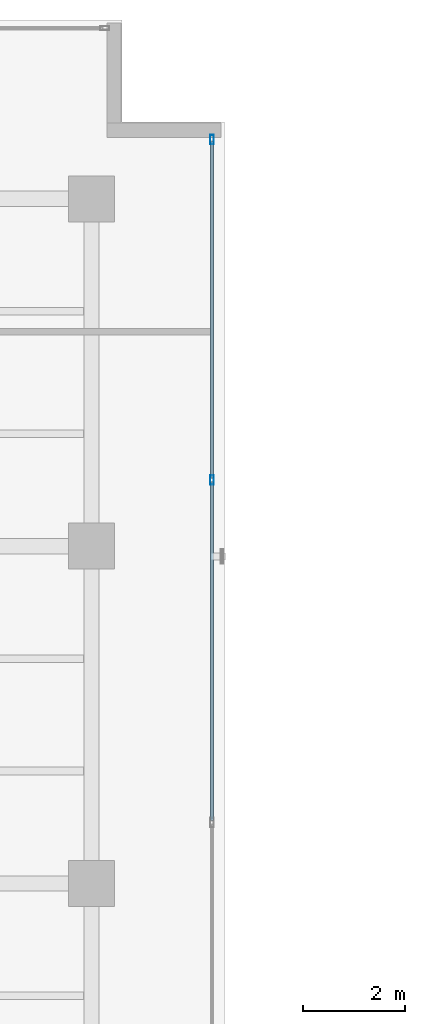
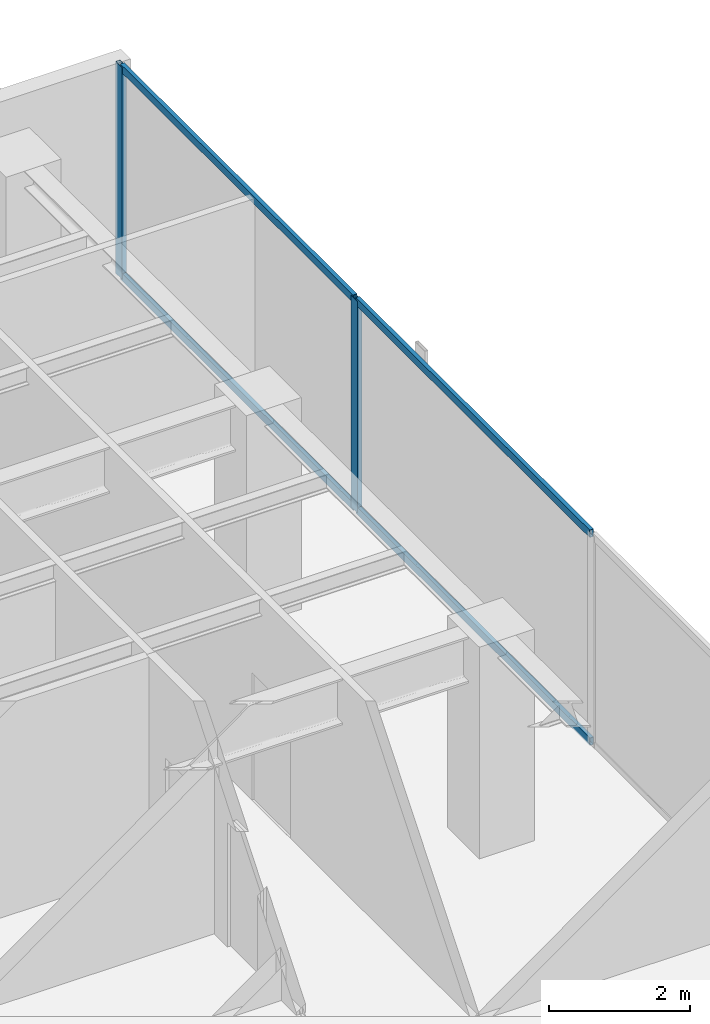
# One storey, part 22 of 31: 6 members, 1 element without a shape of its own.
"""IFC4 building model written with IfcOpenShell, lengths in metres."""

from ifc_helpers import new_model, si_unit, direction, frame, origin, origin_with_axes, origin_2d, place, context, subcontext, project, spatial, hollow_rectangle, extrude, source, transform, mapped, material, layer, layer_set, material_profile, profile_set, type_object, element, aggregate, save


model = new_model("IFC4")

# Units and contexts
model_context = context("Model", 3, precision=1e-05, world=origin(), true_north=direction((0.0, 1.0)))
body_context = subcontext(model_context, "Body", "Model", "MODEL_VIEW")
ifc_project = project(units=[si_unit("LENGTHUNIT", "METRE"), si_unit("AREAUNIT", "SQUARE_METRE"), si_unit("VOLUMEUNIT", "CUBIC_METRE"), si_unit("PLANEANGLEUNIT", "RADIAN"), si_unit("MASSUNIT", "GRAM", prefix="KILO")], contexts=[model_context])

# Site, building, storey
site_placement = place(None, origin())
site = spatial("IfcSite", under=ifc_project, at=site_placement, CompositionType="ELEMENT")
building_placement = place(site_placement, origin())
building = spatial("IfcBuilding", under=site, at=building_placement, Name="Kolvaren Waterfront Exchange", CompositionType="ELEMENT")
storey_placement = place(building_placement, frame((0.0, 0.0, 344.199951171875)))
storey = spatial("IfcBuildingStorey", under=building, at=storey_placement, Name="L88", CompositionType="ELEMENT", Elevation=344.199951171875)

# Curtain wall, members
ifc_material = material(Name="Anodised bronze aluminium 6063-T6", Category="aluminium")
ifc_layer = layer(ifc_material, 0.219970703125, Name="Anodised bronze aluminium 6063-T6")
ifc_layer_set = layer_set([ifc_layer], Name="Anodised bronze aluminium 6063-T6")
curtain_wall_type = type_object("IfcCurtainWallType", Name="ARC-CW-SYS5", PredefinedType="USERDEFINED", material=ifc_layer_set)
curtain_wall_placement = place(storey_placement, origin())
curtain_wall = element("IfcCurtainWall", 1, at=curtain_wall_placement, inside=storey, type_object=curtain_wall_type, Name="L88 stick curtain wall CW5 (CW-L88-NE)", ObjectType="STICK CURTAIN WALL", PredefinedType="USERDEFINED")
ifc_material_profile_1 = material_profile(ifc_material, hollow_rectangle(XDim=0.074951171875, YDim=0.179931640625, WallThickness=0.00439453125, at=origin_2d()), Name="ALU-MUL-180x75x4.5")
ifc_profile_set_1 = profile_set([ifc_material_profile_1], Name="Anodised bronze aluminium 6063-T6")
member_type_1 = type_object("IfcMemberType", Name="ARC-CWM-180", PredefinedType="MULLION", material=ifc_profile_set_1)
shared_shape_1 = source(origin_with_axes(), body_context, "Body", "SweptSolid", [
    extrude(hollow_rectangle(XDim=0.074951171875, YDim=0.179931640625, WallThickness=0.00439453125, at=origin_2d()), origin(), (0.0, 0.0, 1.0), 3.66015625),
])
member_1_placement = place(storey_placement, frame((21.159912109375, 39.0966796875, 0.0), z_axis=(0.0, 0.0, 1.0), x_axis=(-1.0, 0.0, 0.0)))
member_1 = element("IfcMember", 2, at=member_1_placement, type_object=member_type_1, Name="CW5 mullion 3", PredefinedType="MULLION", context=body_context, shape_type="MappedRepresentation", body=[
    mapped(shared_shape_1, transform((0.0, 0.0, 0.0), x_axis=(1.0, 0.0, 0.0), y_axis=(0.0, 1.0, 0.0), z_axis=(0.0, 0.0, 1.0), scale=1.0)),
])
member_2_placement = place(storey_placement, frame((21.159912109375, 45.762451171875, 0.0), z_axis=(0.0, 0.0, 1.0), x_axis=(-1.0, 0.0, 0.0)))
member_2 = element("IfcMember", 3, at=member_2_placement, type_object=member_type_1, Name="CW5 mullion 4", PredefinedType="MULLION", context=body_context, shape_type="MappedRepresentation", body=[
    mapped(shared_shape_1, transform((0.0, 0.0, 0.0), x_axis=(1.0, 0.0, 0.0), y_axis=(0.0, 1.0, 0.0), z_axis=(0.0, 0.0, 1.0), scale=1.0)),
])
ifc_material_profile_2 = material_profile(ifc_material, hollow_rectangle(XDim=0.06494140625, YDim=0.1298828125, WallThickness=0.00390625, at=origin_2d()), Name="ALU-TRN-130x65x4")
ifc_profile_set_2 = profile_set([ifc_material_profile_2], Name="Anodised bronze aluminium 6063-T6")
member_type_2 = type_object("IfcMemberType", Name="ARC-CWT-130", PredefinedType="USERDEFINED", material=ifc_profile_set_2)
shared_shape_2 = source(origin_with_axes(), body_context, "Body", "SweptSolid", [
    extrude(hollow_rectangle(XDim=0.06494140625, YDim=0.1298828125, WallThickness=0.00390625, at=origin_2d()), origin(), (0.0, 0.0, 1.0), 6.5908203125),
])
member_3_placement = place(storey_placement, frame((21.159912109375, 39.13427734375, 0.032470703125), z_axis=(0.0, 1.0, 0.0), x_axis=(-1.0, 0.0, 0.0)))
member_3 = element("IfcMember", 4, at=member_3_placement, type_object=member_type_2, Name="CW5 transom 3.1", ObjectType="TRANSOM", PredefinedType="USERDEFINED", context=body_context, shape_type="MappedRepresentation", body=[
    mapped(shared_shape_2, transform((0.0, 0.0, 0.0), x_axis=(1.0, 0.0, 0.0), y_axis=(0.0, 1.0, 0.0), z_axis=(0.0, 0.0, 1.0), scale=1.0)),
])
member_4_placement = place(storey_placement, frame((21.159912109375, 39.13427734375, 3.62744140625), z_axis=(0.0, 1.0, 0.0), x_axis=(-1.0, 0.0, 0.0)))
member_4 = element("IfcMember", 5, at=member_4_placement, type_object=member_type_2, Name="CW5 transom 3.2", ObjectType="TRANSOM", PredefinedType="USERDEFINED", context=body_context, shape_type="MappedRepresentation", body=[
    mapped(shared_shape_2, transform((0.0, 0.0, 0.0), x_axis=(1.0, 0.0, 0.0), y_axis=(0.0, 1.0, 0.0), z_axis=(0.0, 0.0, 1.0), scale=1.0)),
])
shared_shape_3 = source(origin_with_axes(), body_context, "Body", "SweptSolid", [
    extrude(hollow_rectangle(XDim=0.06494140625, YDim=0.1298828125, WallThickness=0.00390625, at=origin_2d()), origin(), (0.0, 0.0, 1.0), 6.628173828125),
])
member_5_placement = place(storey_placement, frame((21.159912109375, 32.430908203125, 0.032470703125), z_axis=(0.0, 1.0, 0.0), x_axis=(-1.0, 0.0, 0.0)))
member_5 = element("IfcMember", 6, at=member_5_placement, type_object=member_type_2, Name="CW5 transom 2.1", ObjectType="TRANSOM", PredefinedType="USERDEFINED", context=body_context, shape_type="MappedRepresentation", body=[
    mapped(shared_shape_3, transform((0.0, 0.0, 0.0), x_axis=(1.0, 0.0, 0.0), y_axis=(0.0, 1.0, 0.0), z_axis=(0.0, 0.0, 1.0), scale=1.0)),
])
member_6_placement = place(storey_placement, frame((21.159912109375, 32.430908203125, 3.62744140625), z_axis=(0.0, 1.0, 0.0), x_axis=(-1.0, 0.0, 0.0)))
member_6 = element("IfcMember", 7, at=member_6_placement, type_object=member_type_2, Name="CW5 transom 2.2", ObjectType="TRANSOM", PredefinedType="USERDEFINED", context=body_context, shape_type="MappedRepresentation", body=[
    mapped(shared_shape_3, transform((0.0, 0.0, 0.0), x_axis=(1.0, 0.0, 0.0), y_axis=(0.0, 1.0, 0.0), z_axis=(0.0, 0.0, 1.0), scale=1.0)),
])
aggregate(curtain_wall, [member_1, member_2, member_5, member_6, member_3, member_4])

save(model, "model.ifc")
